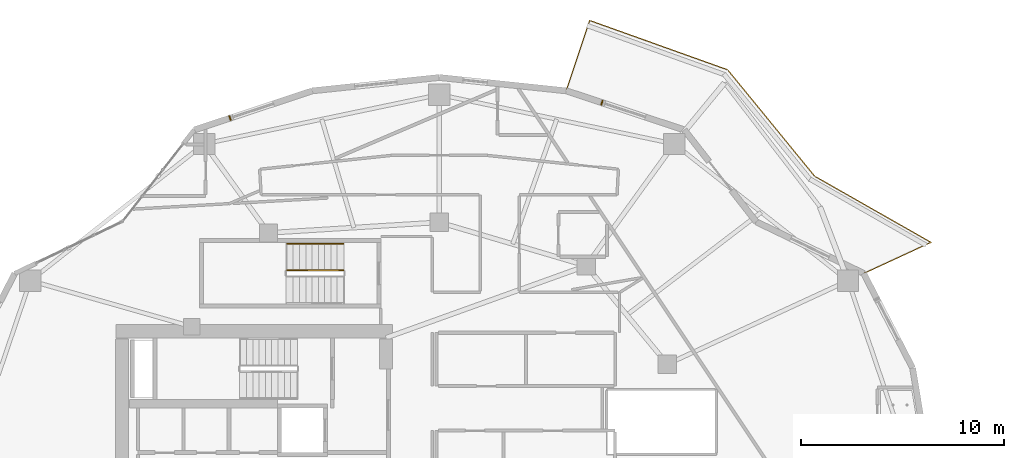
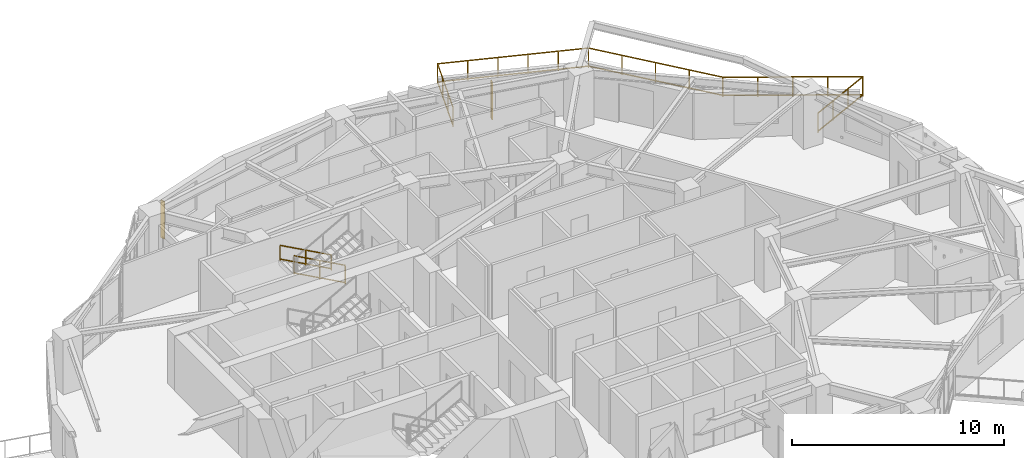
# One storey, part 18 of 18: 3 railings, 2 shading devices.
"""IFC4 building model written with IfcOpenShell, lengths in metres."""

from ifc_helpers import new_model, si_unit, direction, frame, origin, origin_2d, place, context, subcontext, project, spatial, rectangle, extrude, material, type_object, element, save


model = new_model("IFC4")

# Units and contexts
model_context = context("Model", 3, precision=1e-05, world=origin(), true_north=direction((0.0, 1.0)))
body_context = subcontext(model_context, "Body", "Model", "MODEL_VIEW")
ifc_project = project(units=[si_unit("LENGTHUNIT", "METRE"), si_unit("AREAUNIT", "SQUARE_METRE"), si_unit("VOLUMEUNIT", "CUBIC_METRE"), si_unit("PLANEANGLEUNIT", "RADIAN"), si_unit("MASSUNIT", "GRAM", prefix="KILO")], contexts=[model_context])

# Site, building, storey
site_placement = place(None, origin())
site = spatial("IfcSite", under=ifc_project, at=site_placement, CompositionType="ELEMENT")
building_placement = place(site_placement, origin())
building = spatial("IfcBuilding", under=site, at=building_placement, Name="Kolvaren Gate Tower and Convention Centre", CompositionType="ELEMENT")
storey_placement = place(building_placement, frame((0.0, 0.0, 108.699951171875)))
storey = spatial("IfcBuildingStorey", under=building, at=storey_placement, Name="L26", CompositionType="ELEMENT", Elevation=108.699951171875)

# Railings
ifc_material_1 = material(Name="Brushed Stainless Steel Grade 316L", Category="steel")
railing_type_1 = type_object("IfcRailingType", Name="ARCH-RL-GUARD-1150", PredefinedType="GUARDRAIL", material=ifc_material_1)
railing_1_placement = place(storey_placement, frame((25.39990234375, 36.830078125, 0.170166015625)))
element("IfcRailing", 1, at=railing_1_placement, inside=storey, type_object=railing_type_1, Name="L26 ST-T3 stair guard 1", PredefinedType="GUARDRAIL", context=body_context, shape_type="SweptSolid", body=[
    extrude(rectangle(XDim=0.048095703125, YDim=0.048095703125, at=origin_2d()), frame((0.0, 0.0, 1.076171875), z_axis=(-0.876825974686, 0.0, 0.480807872353), x_axis=(0.0, -1.0, 0.0)), (0.0, 0.0, 1.0), 3.181640625),
    extrude(rectangle(XDim=0.048095703125, YDim=0.048095703125, at=origin_2d()), frame((0.0, 0.0, 0.083984375), z_axis=(-0.876825974686, 0.0, 0.480807872353), x_axis=(0.0, -1.0, 0.0)), (0.0, 0.0, 1.0), 3.181640625),
    extrude(rectangle(XDim=0.0419921875, YDim=0.0419921875, at=origin_2d()), origin(), (0.0, 0.0, 1.0), 1.050048828125),
    extrude(rectangle(XDim=0.0419921875, YDim=0.0419921875, at=origin_2d()), frame((-2.789794921875, 0.0, 1.52978515625)), (0.0, 0.0, 1.0), 1.050048828125),
    extrude(rectangle(XDim=0.0419921875, YDim=0.0419921875, at=origin_2d()), frame((-1.39501953125, 0.0, 0.764892578125)), (0.0, 0.0, 1.0), 1.050048828125),
])
railing_2_placement = place(storey_placement, frame((51.072021484375, 36.675048828125, 0.0)))
element("IfcRailing", 2, at=railing_2_placement, inside=storey, type_object=railing_type_1, Name="Tower L26 Terrace Perimeter Guardrail GR-1", PredefinedType="GUARDRAIL", context=body_context, shape_type="SweptSolid", body=[
    extrude(rectangle(XDim=0.048095703125, YDim=0.048095703125, at=origin_2d()), frame((0.025390625, 0.01171875, 1.1259765625), z_axis=(0.907846116663, 0.419303503993, 0.0), x_axis=(-0.419303503993, 0.907846116663, 0.0)), (0.0, 0.0, 1.0), 3.60400390625),
    extrude(rectangle(XDim=0.048095703125, YDim=0.048095703125, at=origin_2d()), frame((0.025390625, 0.01171875, 0.083984375), z_axis=(0.907846116663, 0.419303503993, 0.0), x_axis=(-0.419303503993, 0.907846116663, 0.0)), (0.0, 0.0, 1.0), 3.60400390625),
    extrude(rectangle(XDim=0.048095703125, YDim=0.048095703125, at=origin_2d()), frame((3.29833984375, 1.548583984375, 1.1259765625), z_axis=(-0.869196694318, 0.494466486819, 0.0), x_axis=(-0.494466486819, -0.869196694318, 0.0)), (0.0, 0.0, 1.0), 6.55029296875),
    extrude(rectangle(XDim=0.048095703125, YDim=0.048095703125, at=origin_2d()), frame((3.29833984375, 1.548583984375, 0.083984375), z_axis=(-0.869196694318, 0.494466486819, 0.0), x_axis=(-0.494466486819, -0.869196694318, 0.0)), (0.0, 0.0, 1.0), 6.55029296875),
    extrude(rectangle(XDim=0.048095703125, YDim=0.048095703125, at=origin_2d()), frame((-2.437255859375, 4.822998046875, 1.1259765625), z_axis=(-0.633002467947, 0.77414977593, 0.0), x_axis=(-0.77414977593, -0.633002467947, 0.0)), (0.0, 0.0, 1.0), 6.724365234375),
    extrude(rectangle(XDim=0.048095703125, YDim=0.048095703125, at=origin_2d()), frame((-2.437255859375, 4.822998046875, 0.083984375), z_axis=(-0.633002467947, 0.77414977593, 0.0), x_axis=(-0.77414977593, -0.633002467947, 0.0)), (0.0, 0.0, 1.0), 6.724365234375),
    extrude(rectangle(XDim=0.048095703125, YDim=0.048095703125, at=origin_2d()), frame((-6.73779296875, 10.059814453125, 1.1259765625), z_axis=(-0.941628873241, 0.336652736627, 0.0), x_axis=(-0.336652736627, -0.941628873241, 0.0)), (0.0, 0.0, 1.0), 7.17919921875),
    extrude(rectangle(XDim=0.048095703125, YDim=0.048095703125, at=origin_2d()), frame((-6.73779296875, 10.059814453125, 0.083984375), z_axis=(-0.941628873241, 0.336652736627, 0.0), x_axis=(-0.336652736627, -0.941628873241, 0.0)), (0.0, 0.0, 1.0), 7.17919921875),
    extrude(rectangle(XDim=0.048095703125, YDim=0.048095703125, at=origin_2d()), frame((-13.533203125, 12.45947265625, 1.1259765625), z_axis=(-0.317588247294, -0.948228719867, 0.0), x_axis=(0.948228719867, -0.317588247294, 0.0)), (0.0, 0.0, 1.0), 3.603759765625),
    extrude(rectangle(XDim=0.048095703125, YDim=0.048095703125, at=origin_2d()), frame((-13.533203125, 12.45947265625, 0.083984375), z_axis=(-0.317588247294, -0.948228719867, 0.0), x_axis=(0.948228719867, -0.317588247294, 0.0)), (0.0, 0.0, 1.0), 3.603759765625),
    extrude(rectangle(XDim=0.0419921875, YDim=0.0419921875, at=origin_2d()), origin(), (0.0, 0.0, 1.0), 1.14990234375),
    extrude(rectangle(XDim=0.0419921875, YDim=0.0419921875, at=origin_2d()), frame((3.32275390625, 1.53466796875, 0.0)), (0.0, 0.0, 1.0), 1.14990234375),
    extrude(rectangle(XDim=0.0419921875, YDim=0.0419921875, at=origin_2d()), frame((1.107666015625, 0.511474609375, 0.0)), (0.0, 0.0, 1.0), 1.099853515625),
    extrude(rectangle(XDim=0.0419921875, YDim=0.0419921875, at=origin_2d()), frame((2.215087890625, 1.023193359375, 0.0)), (0.0, 0.0, 1.0), 1.099853515625),
    extrude(rectangle(XDim=0.0419921875, YDim=0.0419921875, at=origin_2d()), frame((-2.41943359375, 4.80126953125, 0.0)), (0.0, 0.0, 1.0), 1.14990234375),
    extrude(rectangle(XDim=0.0419921875, YDim=0.0419921875, at=origin_2d()), frame((1.88720703125, 2.351318359375, 0.0)), (0.0, 0.0, 1.0), 1.099853515625),
    extrude(rectangle(XDim=0.0419921875, YDim=0.0419921875, at=origin_2d()), frame((0.45166015625, 3.16796875, 0.0)), (0.0, 0.0, 1.0), 1.099853515625),
    extrude(rectangle(XDim=0.0419921875, YDim=0.0419921875, at=origin_2d()), frame((-0.98388671875, 3.984619140625, 0.0)), (0.0, 0.0, 1.0), 1.099853515625),
    extrude(rectangle(XDim=0.0419921875, YDim=0.0419921875, at=origin_2d()), frame((-6.71142578125, 10.05029296875, 0.0)), (0.0, 0.0, 1.0), 1.14990234375),
    extrude(rectangle(XDim=0.0419921875, YDim=0.0419921875, at=origin_2d()), frame((-3.492431640625, 6.113525390625, 0.0)), (0.0, 0.0, 1.0), 1.099853515625),
    extrude(rectangle(XDim=0.0419921875, YDim=0.0419921875, at=origin_2d()), frame((-4.5654296875, 7.42578125, 0.0)), (0.0, 0.0, 1.0), 1.099853515625),
    extrude(rectangle(XDim=0.0419921875, YDim=0.0419921875, at=origin_2d()), frame((-5.638427734375, 8.738037109375, 0.0)), (0.0, 0.0, 1.0), 1.099853515625),
    extrude(rectangle(XDim=0.0419921875, YDim=0.0419921875, at=origin_2d()), frame((-13.5244140625, 12.486083984375, 0.0)), (0.0, 0.0, 1.0), 1.14990234375),
    extrude(rectangle(XDim=0.0419921875, YDim=0.0419921875, at=origin_2d()), frame((-8.073974609375, 10.537353515625, 0.0)), (0.0, 0.0, 1.0), 1.099853515625),
    extrude(rectangle(XDim=0.0419921875, YDim=0.0419921875, at=origin_2d()), frame((-9.4365234375, 11.024658203125, 0.0)), (0.0, 0.0, 1.0), 1.099853515625),
    extrude(rectangle(XDim=0.0419921875, YDim=0.0419921875, at=origin_2d()), frame((-10.79931640625, 11.51171875, 0.0)), (0.0, 0.0, 1.0), 1.099853515625),
    extrude(rectangle(XDim=0.0419921875, YDim=0.0419921875, at=origin_2d()), frame((-12.161865234375, 11.9990234375, 0.0)), (0.0, 0.0, 1.0), 1.099853515625),
    extrude(rectangle(XDim=0.0419921875, YDim=0.0419921875, at=origin_2d()), frame((-14.686767578125, 9.015625, 0.0)), (0.0, 0.0, 1.0), 1.14990234375),
    extrude(rectangle(XDim=0.0419921875, YDim=0.0419921875, at=origin_2d()), frame((-13.911865234375, 11.329345703125, 0.0)), (0.0, 0.0, 1.0), 1.099853515625),
    extrude(rectangle(XDim=0.0419921875, YDim=0.0419921875, at=origin_2d()), frame((-14.29931640625, 10.17236328125, 0.0)), (0.0, 0.0, 1.0), 1.099853515625),
])
railing_type_2 = type_object("IfcRailingType", Name="ARCH-RL-HANDRAIL-920", PredefinedType="HANDRAIL", material=ifc_material_1)
railing_3_placement = place(storey_placement, frame((25.39990234375, 38.14990234375, 0.170166015625)))
element("IfcRailing", 3, at=railing_3_placement, inside=storey, type_object=railing_type_2, Name="L26 ST-T3 stair handrail 1", PredefinedType="HANDRAIL", context=body_context, shape_type="SweptSolid", body=[
    extrude(rectangle(XDim=0.048095703125, YDim=0.048095703125, at=origin_2d()), frame((0.0, 0.0, 0.8759765625), z_axis=(-0.876825974686, 0.0, 0.480807872353), x_axis=(0.0, -1.0, 0.0)), (0.0, 0.0, 1.0), 3.181640625),
    extrude(rectangle(XDim=0.048095703125, YDim=0.048095703125, at=origin_2d()), frame((0.0, 0.0, 0.083984375), z_axis=(-0.876825974686, 0.0, 0.480807872353), x_axis=(0.0, -1.0, 0.0)), (0.0, 0.0, 1.0), 3.181640625),
    extrude(rectangle(XDim=0.0419921875, YDim=0.0419921875, at=origin_2d()), origin(), (0.0, 0.0, 1.0), 0.849853515625),
    extrude(rectangle(XDim=0.0419921875, YDim=0.0419921875, at=origin_2d()), frame((-2.789794921875, 0.0, 1.52978515625)), (0.0, 0.0, 1.0), 0.849853515625),
    extrude(rectangle(XDim=0.0419921875, YDim=0.0419921875, at=origin_2d()), frame((-1.39501953125, 0.0, 0.764892578125)), (0.0, 0.0, 1.0), 0.849853515625),
])

# Shading devices
ifc_material_2 = material(Name="Kiln-Fired Bogota Terracotta Ceramic Louvre Profile", Category="masonry")
shading_device_type = type_object("IfcShadingDeviceType", Name="ARCH-SHD-FIN-180", PredefinedType="JALOUSIE", material=ifc_material_2)
for number, where, z_axis, x_axis, name in (
    (4, (38.153564453125, 45.104736328125, 0.22021484375), (0.0, 0.0, 1.0), (0.949240081615, -0.314552487599, 0.0), "Ceramic Vertical Brise-Soleil Fin FN-L26-04"),
    (5, (19.7998046875, 44.343505859375, 0.22021484375), (0.0, 0.0, 1.0), (0.949238434609, 0.314557457804, 0.0), "Ceramic Vertical Brise-Soleil Fin FN-L26-07"),
):
    element("IfcShadingDevice", number, at=place(storey_placement, frame(where, z_axis=z_axis, x_axis=x_axis)), inside=storey, type_object=shading_device_type, Name=name, PredefinedType="JALOUSIE", context=body_context, shape_type="SweptSolid", body=[
        extrude(rectangle(XDim=0.06005859375, YDim=0.239990234375, at=origin_2d()), origin(), (0.0, 0.0, 1.0), 2.14990234375),
    ])

save(model, "model.ifc")
